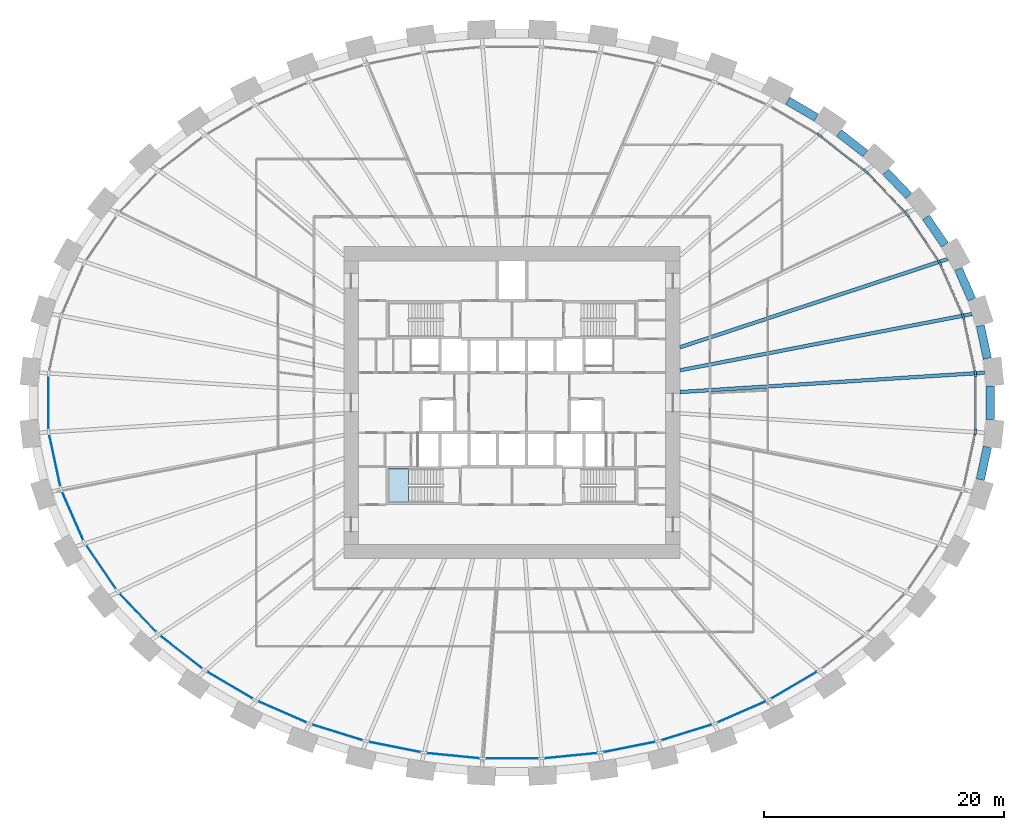
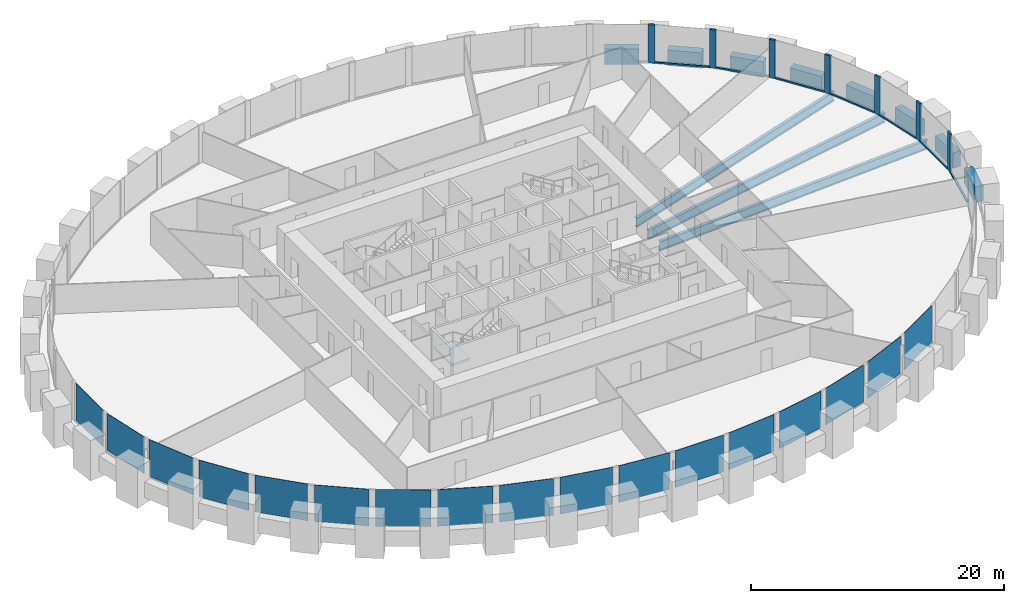
# One storey, part 4 of 11: 17 plates, 14 members, 11 beams, 1 slab, 2 elements without a shape of their own.
"""IFC4 building model written with IfcOpenShell, lengths in metres."""

from ifc_helpers import new_model, si_unit, direction, frame, origin, origin_2d, place, context, subcontext, project, spatial, polyline, rectangle, i_section, outline, extrude, source, transform, mapped, material, layer, layer_set, material_profile, profile_set, type_object, element, aggregate, save


model = new_model("IFC4")

# Units and contexts
model_context = context("Model", 3, precision=1e-05, world=origin(), true_north=direction((0.0, 1.0)))
body_context = subcontext(model_context, "Body", "Model", "MODEL_VIEW")
ifc_project = project(units=[si_unit("LENGTHUNIT", "METRE"), si_unit("AREAUNIT", "SQUARE_METRE"), si_unit("VOLUMEUNIT", "CUBIC_METRE"), si_unit("PLANEANGLEUNIT", "RADIAN"), si_unit("MASSUNIT", "GRAM", prefix="KILO")], contexts=[model_context])

# Site, building, storey
site_placement = place(None, origin())
site = spatial("IfcSite", under=ifc_project, at=site_placement, CompositionType="ELEMENT")
building_placement = place(site_placement, origin())
building = spatial("IfcBuilding", under=site, at=building_placement, Name="Embergate Tower", CompositionType="ELEMENT")
storey_placement = place(building_placement, frame((0.0, 0.0, 113.300048828125)))
storey = spatial("IfcBuildingStorey", under=building, at=storey_placement, Name="L24", CompositionType="ELEMENT", Elevation=113.300048828125)

# Beams
ifc_material_1 = material(Name="Concrete C70", Category="concrete")
ifc_material_profile_1 = material_profile(ifc_material_1, rectangle(XDim=0.699951171875, YDim=1.5, at=origin_2d()), Name="RC 700x1500")
ifc_profile_set_1 = profile_set([ifc_material_profile_1], Name="Concrete C70")
beam_type_1 = type_object("IfcBeamType", Name="Spandrel beam RC 700x1500 C70", PredefinedType="BEAM", material=ifc_profile_set_1)
shared_shape_1 = source(origin(), body_context, "Body", "SweptSolid", [
    extrude(rectangle(XDim=0.699951171875, YDim=1.5, at=origin_2d()), origin(), (0.0, 0.0, 1.0), 2.789306640625),
])
for number, where, z_axis, x_axis, name in (
    (1, (39.60693359375, 3.68310546875, 0.0), (-0.210419662527, 0.977611152566, 0.0), (-0.977611152566, -0.210419662527, 0.0), "SPN-L24-00"),
    (2, (39.02001953125, -6.409912109375, 0.0), (0.210419662527, 0.977611152566, 0.0), (-0.977611152566, 0.210419662527, 0.0), "SPN-L24-42"),
):
    element("IfcBeam", number, at=place(storey_placement, frame(where, z_axis=z_axis, x_axis=x_axis)), inside=storey, type_object=beam_type_1, Name=name, PredefinedType="BEAM", context=body_context, shape_type="MappedRepresentation", body=[
        mapped(shared_shape_1, transform((0.0, 0.0, 0.0))),
    ])
shared_shape_2 = source(origin(), body_context, "Body", "SweptSolid", [
    extrude(rectangle(XDim=0.699951171875, YDim=1.5, at=origin_2d()), origin(), (0.0, 0.0, 1.0), 2.78564453125),
])
beam_1_placement = place(storey_placement, frame((38.31201171875, 8.597900390625, 0.0), z_axis=(-0.401669232295, 0.915784815242, 0.0), x_axis=(-0.915784815242, -0.401669232295, 0.0)))
element("IfcBeam", 3, at=beam_1_placement, inside=storey, type_object=beam_type_1, Name="SPN-L24-01", PredefinedType="BEAM", context=body_context, shape_type="MappedRepresentation", body=[
    mapped(shared_shape_2, transform((0.0, 0.0, 0.0))),
])
shared_shape_3 = source(origin(), body_context, "Body", "SweptSolid", [
    extrude(rectangle(XDim=0.699951171875, YDim=1.5, at=origin_2d()), origin(), (0.0, 0.0, 1.0), 2.775634765625),
])
beam_2_placement = place(storey_placement, frame((36.06201171875, 13.152099609375, 0.0), z_axis=(-0.562430313872, 0.826844690397, 0.0), x_axis=(-0.826844690397, -0.562430313872, 0.0)))
element("IfcBeam", 4, at=beam_2_placement, inside=storey, type_object=beam_type_1, Name="SPN-L24-02", PredefinedType="BEAM", context=body_context, shape_type="MappedRepresentation", body=[
    mapped(shared_shape_3, transform((0.0, 0.0, 0.0))),
])
shared_shape_4 = source(origin(), body_context, "Body", "SweptSolid", [
    extrude(rectangle(XDim=0.699951171875, YDim=1.5, at=origin_2d()), origin(), (0.0, 0.0, 1.0), 2.770263671875),
])
beam_3_placement = place(storey_placement, frame((33.055908203125, 17.237060546875, 0.0), z_axis=(-0.690119345663, 0.723695577395, 0.0), x_axis=(-0.723695577395, -0.690119345663, 0.0)))
element("IfcBeam", 5, at=beam_3_placement, inside=storey, type_object=beam_type_1, Name="SPN-L24-03", PredefinedType="BEAM", context=body_context, shape_type="MappedRepresentation", body=[
    mapped(shared_shape_4, transform((0.0, 0.0, 0.0))),
])
shared_shape_5 = source(origin(), body_context, "Body", "SweptSolid", [
    extrude(rectangle(XDim=0.699951171875, YDim=1.5, at=origin_2d()), origin(), (0.0, 0.0, 1.0), 2.762939453125),
])
beam_4_placement = place(storey_placement, frame((29.426025390625, 20.77099609375, 0.0), z_axis=(-0.788304284462, 0.615285588242, 0.0), x_axis=(-0.615285588242, -0.788304284462, 0.0)))
element("IfcBeam", 6, at=beam_4_placement, inside=storey, type_object=beam_type_1, Name="SPN-L24-04", PredefinedType="BEAM", context=body_context, shape_type="MappedRepresentation", body=[
    mapped(shared_shape_5, transform((0.0, 0.0, 0.0))),
])
shared_shape_6 = source(origin(), body_context, "Body", "SweptSolid", [
    extrude(rectangle(XDim=0.699951171875, YDim=1.5, at=origin_2d()), origin(), (0.0, 0.0, 1.0), 2.758544921875),
])
beam_5_placement = place(storey_placement, frame((25.345947265625, 23.763916015625, 0.0), z_axis=(-0.862027482261, 0.506861539108, 0.0), x_axis=(-0.506861539108, -0.862027482261, 0.0)))
element("IfcBeam", 7, at=beam_5_placement, inside=storey, type_object=beam_type_1, Name="SPN-L24-05", PredefinedType="BEAM", context=body_context, shape_type="MappedRepresentation", body=[
    mapped(shared_shape_6, transform((0.0, 0.0, 0.0))),
])
shared_shape_7 = source(origin(), body_context, "Body", "SweptSolid", [
    extrude(rectangle(XDim=0.699951171875, YDim=1.5, at=origin_2d()), origin(), (0.0, 0.0, 1.0), 2.7919921875),
])
beam_6_placement = place(storey_placement, frame((39.85009765625, -1.39599609375, 0.0), z_axis=(0.0, 1.0, 0.0), x_axis=(-1.0, 0.0, 0.0)))
element("IfcBeam", 8, at=beam_6_placement, inside=storey, type_object=beam_type_1, Name="SPN-L24-43", PredefinedType="BEAM", context=body_context, shape_type="MappedRepresentation", body=[
    mapped(shared_shape_7, transform((0.0, 0.0, 0.0))),
])
ifc_material_2 = material(Name="Steel Q355B", Category="steel")
ifc_material_profile_2 = material_profile(ifc_material_2, i_section(OverallWidth=0.300048828125, OverallDepth=0.89990234375, WebThickness=0.01611328125, FlangeThickness=0.028076171875, FilletRadius=0.028076171875, at=origin_2d()), Name="HN 900x300x16x28")
ifc_profile_set_2 = profile_set([ifc_material_profile_2], Name="Steel Q355 grade B")
beam_type_2 = type_object("IfcBeamType", Name="Radial girder HN 900x300x16x28", PredefinedType="BEAM", material=ifc_profile_set_2)
shared_shape_8 = source(origin(), body_context, "Body", "SweptSolid", [
    extrude(i_section(OverallWidth=0.300048828125, OverallDepth=0.89990234375, WebThickness=0.01611328125, FlangeThickness=0.028076171875, FilletRadius=0.028076171875, at=origin_2d()), origin(), (0.0, 0.0, 1.0), 25.43115234375),
])
beam_7_placement = place(storey_placement, frame((39.3798828125, 2.501953125, -0.650146484375), z_axis=(-0.997986432318, -0.063427761344, 0.0), x_axis=(0.063427761344, -0.997986432318, 0.0)))
element("IfcBeam", 9, at=beam_7_placement, inside=storey, type_object=beam_type_2, Name="GIR-L24-00", PredefinedType="BEAM", context=body_context, shape_type="MappedRepresentation", body=[
    mapped(shared_shape_8, transform((0.0, 0.0, 0.0))),
])
shared_shape_9 = source(origin(), body_context, "Body", "SweptSolid", [
    extrude(i_section(OverallWidth=0.300048828125, OverallDepth=0.89990234375, WebThickness=0.01611328125, FlangeThickness=0.028076171875, FilletRadius=0.028076171875, at=origin_2d()), origin(), (0.0, 0.0, 1.0), 24.775390625),
])
beam_8_placement = place(storey_placement, frame((38.326904296875, 7.39404296875, -0.650146484375), z_axis=(-0.981895013442, -0.189425929, 0.0), x_axis=(0.189425929, -0.981895013442, 0.0)))
element("IfcBeam", 10, at=beam_8_placement, inside=storey, type_object=beam_type_2, Name="GIR-L24-01", PredefinedType="BEAM", context=body_context, shape_type="MappedRepresentation", body=[
    mapped(shared_shape_9, transform((0.0, 0.0, 0.0))),
])
shared_shape_10 = source(origin(), body_context, "Body", "SweptSolid", [
    extrude(i_section(OverallWidth=0.300048828125, OverallDepth=0.89990234375, WebThickness=0.01611328125, FlangeThickness=0.028076171875, FilletRadius=0.028076171875, at=origin_2d()), origin(), (0.0, 0.0, 1.0), 23.499267578125),
])
beam_9_placement = place(storey_placement, frame((36.31689453125, 11.97705078125, -0.650146484375), z_axis=(-0.949685213061, -0.31320599626, 0.0), x_axis=(0.31320599626, -0.949685213061, 0.0)))
element("IfcBeam", 11, at=beam_9_placement, inside=storey, type_object=beam_type_2, Name="GIR-L24-02", PredefinedType="BEAM", context=body_context, shape_type="MappedRepresentation", body=[
    mapped(shared_shape_10, transform((0.0, 0.0, 0.0))),
])

# Curtain wall, members, plates
ifc_material_3 = material(Name="Aluminium and glass", Category="aluminium")
curtain_wall_type = type_object("IfcCurtainWallType", Name="Recessed office glazing", PredefinedType="NOTDEFINED", material=ifc_material_3)
curtain_wall_placement = place(storey_placement, origin())
curtain_wall = element("IfcCurtainWall", 12, at=curtain_wall_placement, inside=storey, type_object=curtain_wall_type, Name="Recessed office glazing ring", ObjectType="RECESSED OFFICE GLAZING", PredefinedType="USERDEFINED")
ifc_material_4 = material(Name="Aluminium, thermally broken", Category="aluminium")
ifc_material_profile_3 = material_profile(ifc_material_4, rectangle(XDim=0.179931640625, YDim=0.52001953125, at=origin_2d()), Name="AL 520x180")
ifc_profile_set_3 = profile_set([ifc_material_profile_3], Name="Aluminium, thermally broken")
member_type_1 = type_object("IfcMemberType", Name="Office mullion", PredefinedType="MULLION", material=ifc_profile_set_3)
shared_shape_11 = source(origin(), body_context, "Body", "SweptSolid", [
    extrude(rectangle(XDim=0.179931640625, YDim=0.52001953125, at=origin_2d()), origin(), (0.0, 0.0, 1.0), 3.699951171875),
])
member_1_placement = place(storey_placement, frame((38.610595703125, 2.435791015625, 0.0), z_axis=(0.0, 0.0, 1.0), x_axis=(-0.994385324123, -0.105819786286, 0.0)))
member_1 = element("IfcMember", 13, at=member_1_placement, type_object=member_type_1, Name="CW mullion 1", PredefinedType="MULLION", context=body_context, shape_type="MappedRepresentation", body=[
    mapped(shared_shape_11, transform((0.0, 0.0, 0.0))),
])
member_2_placement = place(storey_placement, frame((37.5849609375, 7.20068359375, 0.0), z_axis=(0.0, 0.0, 1.0), x_axis=(-0.951500482757, -0.30764725143, 0.0)))
member_2 = element("IfcMember", 14, at=member_2_placement, type_object=member_type_1, Name="CW mullion 2", PredefinedType="MULLION", context=body_context, shape_type="MappedRepresentation", body=[
    mapped(shared_shape_11, transform((0.0, 0.0, 0.0))),
])
member_3_placement = place(storey_placement, frame((35.62451171875, 11.6708984375, 0.0), z_axis=(0.0, 0.0, 1.0), x_axis=(-0.875006965472, -0.484110328723, 0.0)))
member_3 = element("IfcMember", 15, at=member_3_placement, type_object=member_type_1, Name="CW mullion 3", PredefinedType="MULLION", context=body_context, shape_type="MappedRepresentation", body=[
    mapped(shared_shape_11, transform((0.0, 0.0, 0.0))),
])
member_4_placement = place(storey_placement, frame((32.87451171875, 15.714599609375, 0.0), z_axis=(0.0, 0.0, 1.0), x_axis=(-0.777879145133, -0.628413904658, 0.0)))
member_4 = element("IfcMember", 16, at=member_4_placement, type_object=member_type_1, Name="CW mullion 4", PredefinedType="MULLION", context=body_context, shape_type="MappedRepresentation", body=[
    mapped(shared_shape_11, transform((0.0, 0.0, 0.0))),
])
member_5_placement = place(storey_placement, frame((29.49365234375, 19.260009765625, 0.0), z_axis=(0.0, 0.0, 1.0), x_axis=(-0.671233002577, -0.741246420734, 0.0)))
member_5 = element("IfcMember", 17, at=member_5_placement, type_object=member_type_1, Name="CW mullion 5", PredefinedType="MULLION", context=body_context, shape_type="MappedRepresentation", body=[
    mapped(shared_shape_11, transform((0.0, 0.0, 0.0))),
])
member_6_placement = place(storey_placement, frame((25.6259765625, 22.278564453125, 0.0), z_axis=(0.0, 0.0, 1.0), x_axis=(-0.562223392005, -0.826985403428, 0.0)))
member_6 = element("IfcMember", 18, at=member_6_placement, type_object=member_type_1, Name="CW mullion 6", PredefinedType="MULLION", context=body_context, shape_type="MappedRepresentation", body=[
    mapped(shared_shape_11, transform((0.0, 0.0, 0.0))),
])
member_7_placement = place(storey_placement, frame((38.610595703125, -2.435791015625, 0.0), z_axis=(0.0, 0.0, 1.0), x_axis=(-0.994385324123, 0.105819786286, 0.0)))
member_7 = element("IfcMember", 19, at=member_7_placement, type_object=member_type_1, Name="CW mullion 44", PredefinedType="MULLION", context=body_context, shape_type="MappedRepresentation", body=[
    mapped(shared_shape_11, transform((0.0, 0.0, 0.0))),
])
ifc_material_profile_4 = material_profile(ifc_material_4, rectangle(XDim=0.179931640625, YDim=0.14990234375, at=origin_2d()), Name="AL 150x180")
ifc_profile_set_4 = profile_set([ifc_material_profile_4], Name="Aluminium, thermally broken")
member_type_2 = type_object("IfcMemberType", Name="Office sill transom", PredefinedType="USERDEFINED", material=ifc_profile_set_4)
shared_shape_12 = source(origin(), body_context, "Body", "SweptSolid", [
    extrude(rectangle(XDim=0.179931640625, YDim=0.14990234375, at=origin_2d()), origin(), (0.0, 0.0, 1.0), 4.361083984375),
])
member_8_placement = place(storey_placement, frame((37.48046875, 7.43896484375, 0.074951171875), z_axis=(-0.401614544281, 0.915808799817, 0.0), x_axis=(-0.915808799817, -0.401614544281, 0.0)))
member_8 = element("IfcMember", 20, at=member_8_placement, type_object=member_type_2, Name="CW transom 2.1", ObjectType="TRANSOM", PredefinedType="USERDEFINED", context=body_context, shape_type="MappedRepresentation", body=[
    mapped(shared_shape_12, transform((0.0, 0.0, 0.0))),
])
shared_shape_13 = source(origin(), body_context, "Body", "SweptSolid", [
    extrude(rectangle(XDim=0.179931640625, YDim=0.14990234375, at=origin_2d()), origin(), (0.0, 0.0, 1.0), 4.37890625),
])
member_9_placement = place(storey_placement, frame((32.695068359375, 15.90283203125, 0.074951171875), z_axis=(-0.690125589668, 0.723689623032, 0.0), x_axis=(-0.723689623032, -0.690125589668, 0.0)))
member_9 = element("IfcMember", 21, at=member_9_placement, type_object=member_type_2, Name="CW transom 4.1", ObjectType="TRANSOM", PredefinedType="USERDEFINED", context=body_context, shape_type="MappedRepresentation", body=[
    mapped(shared_shape_13, transform((0.0, 0.0, 0.0))),
])
shared_shape_14 = source(origin(), body_context, "Body", "SweptSolid", [
    extrude(rectangle(XDim=0.179931640625, YDim=0.14990234375, at=origin_2d()), origin(), (0.0, 0.0, 1.0), 4.354248046875),
])
member_10_placement = place(storey_placement, frame((38.555908203125, 2.68994140625, 0.074951171875), z_axis=(-0.21042500241, 0.977610003202, 0.0), x_axis=(-0.977610003202, -0.21042500241, 0.0)))
member_10 = element("IfcMember", 22, at=member_10_placement, type_object=member_type_2, Name="CW transom 1.1", ObjectType="TRANSOM", PredefinedType="USERDEFINED", context=body_context, shape_type="MappedRepresentation", body=[
    mapped(shared_shape_14, transform((0.0, 0.0, 0.0))),
])
member_11_placement = place(storey_placement, frame((37.6396484375, -6.94677734375, 0.074951171875), z_axis=(0.21042500241, 0.977610003202, 0.0), x_axis=(-0.977610003202, 0.21042500241, 0.0)))
member_11 = element("IfcMember", 23, at=member_11_placement, type_object=member_type_2, Name="CW transom 43.1", ObjectType="TRANSOM", PredefinedType="USERDEFINED", context=body_context, shape_type="MappedRepresentation", body=[
    mapped(shared_shape_14, transform((0.0, 0.0, 0.0))),
])
shared_shape_15 = source(origin(), body_context, "Body", "SweptSolid", [
    extrude(rectangle(XDim=0.179931640625, YDim=0.14990234375, at=origin_2d()), origin(), (0.0, 0.0, 1.0), 4.3701171875),
])
member_12_placement = place(storey_placement, frame((35.478271484375, 11.885986328125, 0.074951171875), z_axis=(-0.562334469625, 0.826909876753, 0.0), x_axis=(-0.826909876753, -0.562334469625, 0.0)))
member_12 = element("IfcMember", 24, at=member_12_placement, type_object=member_type_2, Name="CW transom 3.1", ObjectType="TRANSOM", PredefinedType="USERDEFINED", context=body_context, shape_type="MappedRepresentation", body=[
    mapped(shared_shape_15, transform((0.0, 0.0, 0.0))),
])
shared_shape_16 = source(origin(), body_context, "Body", "SweptSolid", [
    extrude(rectangle(XDim=0.179931640625, YDim=0.14990234375, at=origin_2d()), origin(), (0.0, 0.0, 1.0), 4.386474609375),
])
member_13_placement = place(storey_placement, frame((29.288818359375, 19.419921875, 0.074951171875), z_axis=(-0.78833816957, 0.615242172156, 0.0), x_axis=(-0.615242172156, -0.78833816957, 0.0)))
member_13 = element("IfcMember", 25, at=member_13_placement, type_object=member_type_2, Name="CW transom 5.1", ObjectType="TRANSOM", PredefinedType="USERDEFINED", context=body_context, shape_type="MappedRepresentation", body=[
    mapped(shared_shape_16, transform((0.0, 0.0, 0.0))),
])
shared_shape_17 = source(origin(), body_context, "Body", "SweptSolid", [
    extrude(rectangle(XDim=0.179931640625, YDim=0.14990234375, at=origin_2d()), origin(), (0.0, 0.0, 1.0), 4.3515625),
])
member_14_placement = place(storey_placement, frame((38.610595703125, -2.17578125, 0.074951171875), z_axis=(0.0, 1.0, 0.0), x_axis=(-1.0, 0.0, 0.0)))
member_14 = element("IfcMember", 26, at=member_14_placement, type_object=member_type_2, Name="CW transom 44.1", ObjectType="TRANSOM", PredefinedType="USERDEFINED", context=body_context, shape_type="MappedRepresentation", body=[
    mapped(shared_shape_17, transform((0.0, 0.0, 0.0))),
])
ifc_material_5 = material(Name="Triple glazing, low-emissivity coating", Category="glass")
ifc_layer_1 = layer(ifc_material_5, 0.035888671875)
ifc_layer_set_1 = layer_set([ifc_layer_1], Name="Triple glazing, low-emissivity coating")
plate_type = type_object("IfcPlateType", Name="Office glazing unit", PredefinedType="CURTAIN_PANEL", material=ifc_layer_set_1)
shared_shape_18 = source(origin(), body_context, "Body", "SweptSolid", [
    extrude(rectangle(XDim=4.37890625, YDim=0.035888671875, at=origin_2d()), origin(), (0.0, 0.0, 1.0), 3.550048828125),
])
plate_1_placement = place(storey_placement, frame((-31.18408203125, -17.4873046875, 0.14990234375), z_axis=(0.0, 0.0, 1.0), x_axis=(0.690129995266, -0.723685421737, 0.0)))
plate_1 = element("IfcPlate", 27, at=plate_1_placement, type_object=plate_type, Name="CW panel 26.1", PredefinedType="CURTAIN_PANEL", context=body_context, shape_type="MappedRepresentation", body=[
    mapped(shared_shape_18, transform((0.0, 0.0, 0.0))),
])
shared_shape_19 = source(origin(), body_context, "Body", "SweptSolid", [
    extrude(rectangle(XDim=4.354248046875, YDim=0.035888671875, at=origin_2d()), origin(), (0.0, 0.0, 1.0), 3.550048828125),
])
plate_2_placement = place(storey_placement, frame((-38.09765625, -4.818359375, 0.14990234375), z_axis=(0.0, 0.0, 1.0), x_axis=(0.210394978653, -0.977616465163, 0.0)))
plate_2 = element("IfcPlate", 28, at=plate_2_placement, type_object=plate_type, Name="CW panel 23.1", PredefinedType="CURTAIN_PANEL", context=body_context, shape_type="MappedRepresentation", body=[
    mapped(shared_shape_19, transform((0.0, 0.0, 0.0))),
])
shared_shape_20 = source(origin(), body_context, "Body", "SweptSolid", [
    extrude(rectangle(XDim=4.361083984375, YDim=0.035888671875, at=origin_2d()), origin(), (0.0, 0.0, 1.0), 3.550048828125),
])
plate_3_placement = place(storey_placement, frame((-36.604736328125, -9.435791015625, 0.14990234375), z_axis=(0.0, 0.0, 1.0), x_axis=(0.401647306074, -0.915794431913, 0.0)))
plate_3 = element("IfcPlate", 29, at=plate_3_placement, type_object=plate_type, Name="CW panel 24.1", PredefinedType="CURTAIN_PANEL", context=body_context, shape_type="MappedRepresentation", body=[
    mapped(shared_shape_20, transform((0.0, 0.0, 0.0))),
])
shared_shape_21 = source(origin(), body_context, "Body", "SweptSolid", [
    extrude(rectangle(XDim=4.3701171875, YDim=0.035888671875, at=origin_2d()), origin(), (0.0, 0.0, 1.0), 3.550048828125),
])
plate_4_placement = place(storey_placement, frame((-34.24951171875, -13.69287109375, 0.14990234375), z_axis=(0.0, 0.0, 1.0), x_axis=(0.562337412243, -0.826907875638, 0.0)))
plate_4 = element("IfcPlate", 30, at=plate_4_placement, type_object=plate_type, Name="CW panel 25.1", PredefinedType="CURTAIN_PANEL", context=body_context, shape_type="MappedRepresentation", body=[
    mapped(shared_shape_21, transform((0.0, 0.0, 0.0))),
])
shared_shape_22 = source(origin(), body_context, "Body", "SweptSolid", [
    extrude(rectangle(XDim=4.386474609375, YDim=0.035888671875, at=origin_2d()), origin(), (0.0, 0.0, 1.0), 3.550048828125),
])
plate_5_placement = place(storey_placement, frame((-27.559814453125, -20.769287109375, 0.14990234375), z_axis=(0.0, 0.0, 1.0), x_axis=(0.788316897722, -0.615269427784, 0.0)))
plate_5 = element("IfcPlate", 31, at=plate_5_placement, type_object=plate_type, Name="CW panel 27.1", PredefinedType="CURTAIN_PANEL", context=body_context, shape_type="MappedRepresentation", body=[
    mapped(shared_shape_22, transform((0.0, 0.0, 0.0))),
])
shared_shape_23 = source(origin(), body_context, "Body", "SweptSolid", [
    extrude(rectangle(XDim=4.392333984375, YDim=0.035888671875, at=origin_2d()), origin(), (0.0, 0.0, 1.0), 3.550048828125),
])
plate_6_placement = place(storey_placement, frame((-23.508544921875, -23.5234375, 0.14990234375), z_axis=(0.0, 0.0, 1.0), x_axis=(0.862050514108, -0.506822366443, 0.0)))
plate_6 = element("IfcPlate", 32, at=plate_6_placement, type_object=plate_type, Name="CW panel 28.1", PredefinedType="CURTAIN_PANEL", context=body_context, shape_type="MappedRepresentation", body=[
    mapped(shared_shape_23, transform((0.0, 0.0, 0.0))),
])
plate_7_placement = place(storey_placement, frame((23.508544921875, -23.5234375, 0.14990234375), z_axis=(0.0, 0.0, 1.0), x_axis=(0.862050514108, 0.506822366443, 0.0)))
plate_7 = element("IfcPlate", 33, at=plate_7_placement, type_object=plate_type, Name="CW panel 38.1", PredefinedType="CURTAIN_PANEL", context=body_context, shape_type="MappedRepresentation", body=[
    mapped(shared_shape_23, transform((0.0, 0.0, 0.0))),
])
shared_shape_24 = source(origin(), body_context, "Body", "SweptSolid", [
    extrude(rectangle(XDim=4.39697265625, YDim=0.035888671875, at=origin_2d()), origin(), (0.0, 0.0, 1.0), 3.550048828125),
])
plate_8_placement = place(storey_placement, frame((-19.138671875, -25.75341796875, 0.14990234375), z_axis=(0.0, 0.0, 1.0), x_axis=(0.91623411399, -0.400643293168, 0.0)))
plate_8 = element("IfcPlate", 34, at=plate_8_placement, type_object=plate_type, Name="CW panel 29.1", PredefinedType="CURTAIN_PANEL", context=body_context, shape_type="MappedRepresentation", body=[
    mapped(shared_shape_24, transform((0.0, 0.0, 0.0))),
])
plate_9_placement = place(storey_placement, frame((19.138671875, -25.75341796875, 0.14990234375), z_axis=(0.0, 0.0, 1.0), x_axis=(0.91623411399, 0.400643293168, 0.0)))
plate_9 = element("IfcPlate", 35, at=plate_9_placement, type_object=plate_type, Name="CW panel 37.1", PredefinedType="CURTAIN_PANEL", context=body_context, shape_type="MappedRepresentation", body=[
    mapped(shared_shape_24, transform((0.0, 0.0, 0.0))),
])
shared_shape_25 = source(origin(), body_context, "Body", "SweptSolid", [
    extrude(rectangle(XDim=4.400146484375, YDim=0.035888671875, at=origin_2d()), origin(), (0.0, 0.0, 1.0), 3.550048828125),
])
plate_10_placement = place(storey_placement, frame((-14.537353515625, -27.4697265625, 0.14990234375), z_axis=(0.0, 0.0, 1.0), x_axis=(0.954771179262, -0.297341546458, 0.0)))
plate_10 = element("IfcPlate", 36, at=plate_10_placement, type_object=plate_type, Name="CW panel 30.1", PredefinedType="CURTAIN_PANEL", context=body_context, shape_type="MappedRepresentation", body=[
    mapped(shared_shape_25, transform((0.0, 0.0, 0.0))),
])
plate_11_placement = place(storey_placement, frame((14.537353515625, -27.4697265625, 0.14990234375), z_axis=(0.0, 0.0, 1.0), x_axis=(0.954771179262, 0.297341546458, 0.0)))
plate_11 = element("IfcPlate", 37, at=plate_11_placement, type_object=plate_type, Name="CW panel 36.1", PredefinedType="CURTAIN_PANEL", context=body_context, shape_type="MappedRepresentation", body=[
    mapped(shared_shape_25, transform((0.0, 0.0, 0.0))),
])
shared_shape_26 = source(origin(), body_context, "Body", "SweptSolid", [
    extrude(rectangle(XDim=4.40234375, YDim=0.035888671875, at=origin_2d()), origin(), (0.0, 0.0, 1.0), 3.550048828125),
])
plate_12_placement = place(storey_placement, frame((-9.775390625, -28.685302734375, 0.14990234375), z_axis=(0.0, 0.0, 1.0), x_axis=(0.980475221003, -0.196642673395, 0.0)))
plate_12 = element("IfcPlate", 38, at=plate_12_placement, type_object=plate_type, Name="CW panel 31.1", PredefinedType="CURTAIN_PANEL", context=body_context, shape_type="MappedRepresentation", body=[
    mapped(shared_shape_26, transform((0.0, 0.0, 0.0))),
])
plate_13_placement = place(storey_placement, frame((9.775390625, -28.685302734375, 0.14990234375), z_axis=(0.0, 0.0, 1.0), x_axis=(0.980475221003, 0.196642673395, 0.0)))
plate_13 = element("IfcPlate", 39, at=plate_13_placement, type_object=plate_type, Name="CW panel 35.1", PredefinedType="CURTAIN_PANEL", context=body_context, shape_type="MappedRepresentation", body=[
    mapped(shared_shape_26, transform((0.0, 0.0, 0.0))),
])
shared_shape_27 = source(origin(), body_context, "Body", "SweptSolid", [
    extrude(rectangle(XDim=4.40380859375, YDim=0.035888671875, at=origin_2d()), origin(), (0.0, 0.0, 1.0), 3.550048828125),
])
plate_14_placement = place(storey_placement, frame((-4.912109375, -29.41015625, 0.14990234375), z_axis=(0.0, 0.0, 1.0), x_axis=(0.995203014042, -0.097831287645, 0.0)))
plate_14 = element("IfcPlate", 40, at=plate_14_placement, type_object=plate_type, Name="CW panel 32.1", PredefinedType="CURTAIN_PANEL", context=body_context, shape_type="MappedRepresentation", body=[
    mapped(shared_shape_27, transform((0.0, 0.0, 0.0))),
])
plate_15_placement = place(storey_placement, frame((4.912109375, -29.41015625, 0.14990234375), z_axis=(0.0, 0.0, 1.0), x_axis=(0.995203014042, 0.097831287645, 0.0)))
plate_15 = element("IfcPlate", 41, at=plate_15_placement, type_object=plate_type, Name="CW panel 34.1", PredefinedType="CURTAIN_PANEL", context=body_context, shape_type="MappedRepresentation", body=[
    mapped(shared_shape_27, transform((0.0, 0.0, 0.0))),
])
shared_shape_28 = source(origin(), body_context, "Body", "SweptSolid", [
    extrude(rectangle(XDim=4.404052734375, YDim=0.035888671875, at=origin_2d()), origin(), (0.0, 0.0, 1.0), 3.550048828125),
])
plate_16_placement = place(storey_placement, frame((0.0, -29.65087890625, 0.14990234375), z_axis=(0.0, 0.0, 1.0), x_axis=(1.0, 0.0, 0.0)))
plate_16 = element("IfcPlate", 42, at=plate_16_placement, type_object=plate_type, Name="CW panel 33.1", PredefinedType="CURTAIN_PANEL", context=body_context, shape_type="MappedRepresentation", body=[
    mapped(shared_shape_28, transform((0.0, 0.0, 0.0))),
])
shared_shape_29 = source(origin(), body_context, "Body", "SweptSolid", [
    extrude(rectangle(XDim=4.3515625, YDim=0.035888671875, at=origin_2d()), origin(), (0.0, 0.0, 1.0), 3.550048828125),
])
plate_17_placement = place(storey_placement, frame((-38.610595703125, 0.0, 0.14990234375), z_axis=(0.0, 0.0, 1.0), x_axis=(0.0, -1.0, 0.0)))
plate_17 = element("IfcPlate", 43, at=plate_17_placement, type_object=plate_type, Name="CW panel 22.1", PredefinedType="CURTAIN_PANEL", context=body_context, shape_type="MappedRepresentation", body=[
    mapped(shared_shape_29, transform((0.0, 0.0, 0.0))),
])
aggregate(curtain_wall, [member_1, member_2, member_3, member_4, member_5, member_6, member_7, member_10, member_8, member_12, member_9, member_13, plate_17, plate_2, plate_3, plate_4, plate_1, plate_5, plate_6, plate_8, plate_10, plate_12, plate_14, plate_16, plate_15, plate_13, plate_11, plate_9, plate_7, member_11, member_14])

# Stair, slab
ifc_material_6 = material(Name="Exit stair")
stair_type = type_object("IfcStairType", Name="Exit stair", PredefinedType="HALF_TURN_STAIR", material=ifc_material_6)
stair_placement = place(storey_placement, origin())
stair = element("IfcStair", 44, at=stair_placement, inside=storey, type_object=stair_type, Name="L24 Exit stair 3", PredefinedType="HALF_TURN_STAIR")
ifc_material_7 = material(Name="Concrete C40", Category="concrete")
ifc_layer_2 = layer(ifc_material_7, 0.199951171875)
ifc_layer_set_2 = layer_set([ifc_layer_2], Name="Concrete C40")
slab_type = type_object("IfcSlabType", Name="Stair landing reinforced concrete", PredefinedType="LANDING", material=ifc_layer_set_2)
shared_shape_30 = source(origin(), body_context, "Body", "SweptSolid", [
    extrude(outline(polyline([(0.0, 0.0), (1.68994140625, 0.0), (1.68994140625, 2.800048828125), (0.0, 2.800048828125), (0.0, 0.0)])), origin(), (0.0, 0.0, 1.0), 0.199951171875),
])
slab_placement = place(storey_placement, frame((-10.300048828125, -8.300048828125, 1.75)))
slab = element("IfcSlab", 45, at=slab_placement, type_object=slab_type, Name="ST3 landing 1", PredefinedType="LANDING", context=body_context, shape_type="MappedRepresentation", body=[
    mapped(shared_shape_30, transform((0.0, 0.0, 0.0))),
])
aggregate(stair, [slab])

save(model, "model.ifc")
